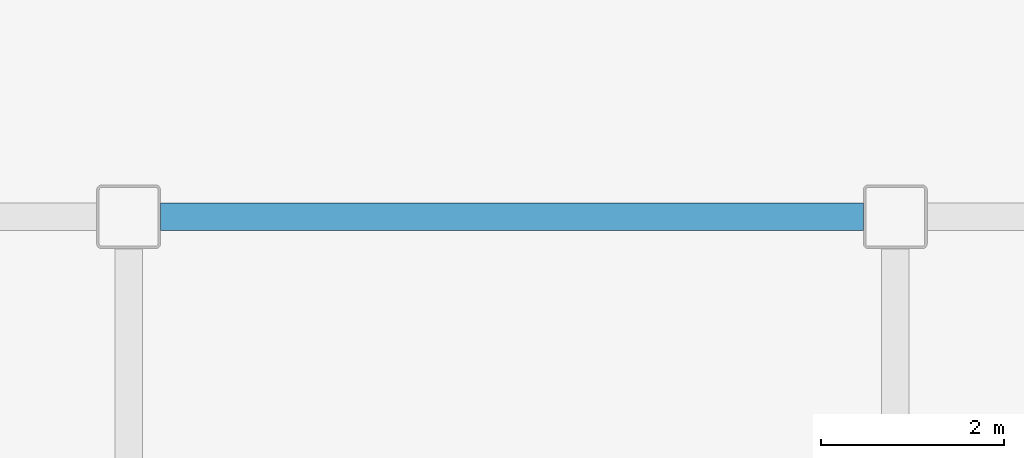
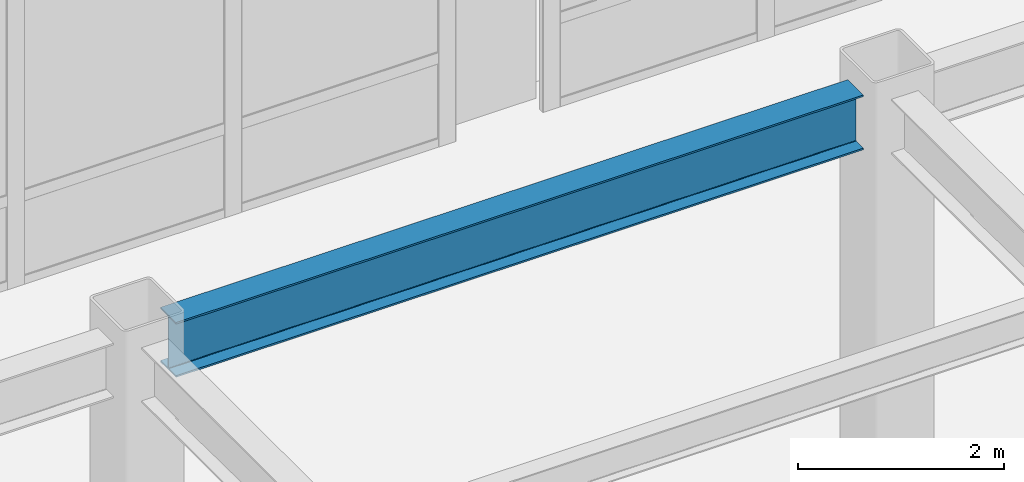
# One storey, part 55 of 165: 1 beam.
"""IFC4 building model written with IfcOpenShell, lengths in metres."""

from ifc_helpers import new_model, si_unit, direction, frame, origin, origin_2d, place, context, subcontext, project, spatial, i_section, extrude, material, material_profile, profile_set, type_object, element, save


model = new_model("IFC4")

# Units and contexts
model_context = context("Model", 3, precision=1e-05, world=origin(), true_north=direction((0.0, 1.0)))
body_context = subcontext(model_context, "Body", "Model", "MODEL_VIEW")
ifc_project = project(units=[si_unit("LENGTHUNIT", "METRE"), si_unit("AREAUNIT", "SQUARE_METRE"), si_unit("VOLUMEUNIT", "CUBIC_METRE"), si_unit("PLANEANGLEUNIT", "RADIAN"), si_unit("MASSUNIT", "GRAM", prefix="KILO")], contexts=[model_context])

# Site, building, storey
site_placement = place(None, origin())
site = spatial("IfcSite", under=ifc_project, at=site_placement, CompositionType="ELEMENT")
building_placement = place(site_placement, origin())
building = spatial("IfcBuilding", under=site, at=building_placement, Name="Kazehara Bluff Congress Hotel", CompositionType="ELEMENT")
storey_placement = place(building_placement, origin())
storey = spatial("IfcBuildingStorey", under=building, at=storey_placement, Name="L00", CompositionType="ELEMENT", Elevation=0.0)

# Beam
ifc_material = material(Name="Steel SN490B", Category="steel")
ifc_material_profile = material_profile(ifc_material, i_section(OverallWidth=0.300048828125, OverallDepth=0.64990234375, WebThickness=0.011962890625, FlangeThickness=0.02001953125, FilletRadius=0.012939453125, at=origin_2d()))
ifc_profile_set = profile_set([ifc_material_profile], Name="Steel SN490B")
beam_type = type_object("IfcBeamType", Name="TP-G-03", PredefinedType="BEAM", material=ifc_profile_set)
beam_placement = place(storey_placement, frame((118.85009765625, 32.0, 4.824951171875), z_axis=(1.0, 0.0, 0.0), x_axis=(0.0, 1.0, 0.0)))
element("IfcBeam", 1, at=beam_placement, inside=storey, type_object=beam_type, Name="L00 girder G-03 291", PredefinedType="BEAM", context=body_context, shape_type="SweptSolid", body=[
    extrude(i_section(OverallWidth=0.300048828125, OverallDepth=0.64990234375, WebThickness=0.011962890625, FlangeThickness=0.02001953125, FilletRadius=0.012939453125, at=origin_2d()), origin(), (0.0, 0.0, 1.0), 7.699951171875),
])

save(model, "model.ifc")
